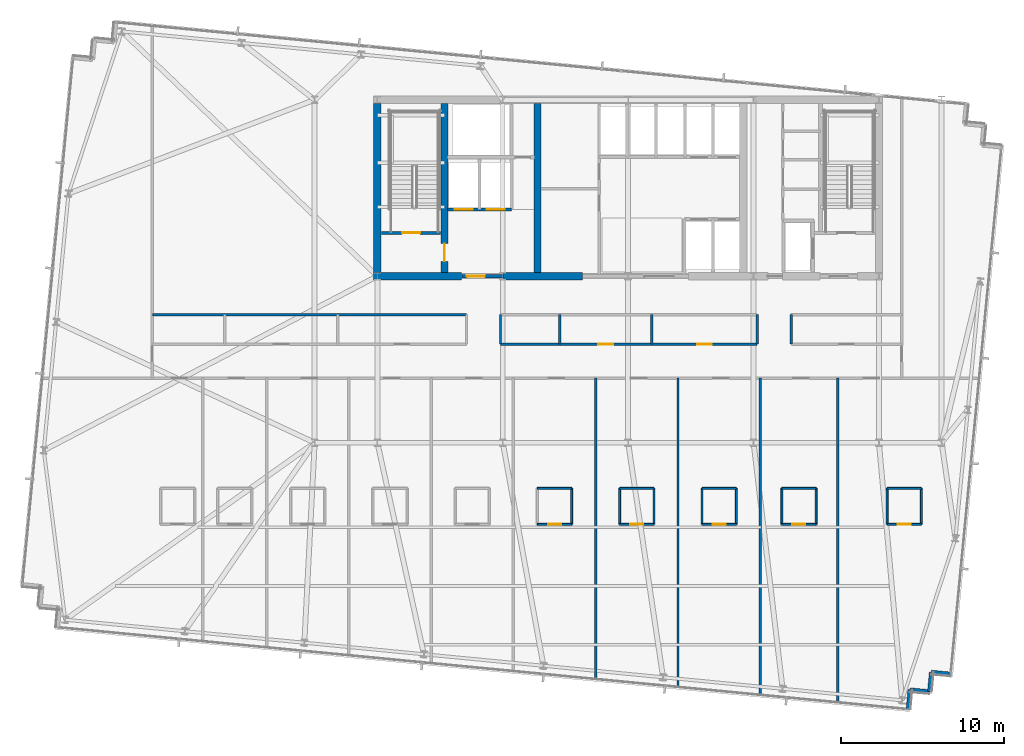
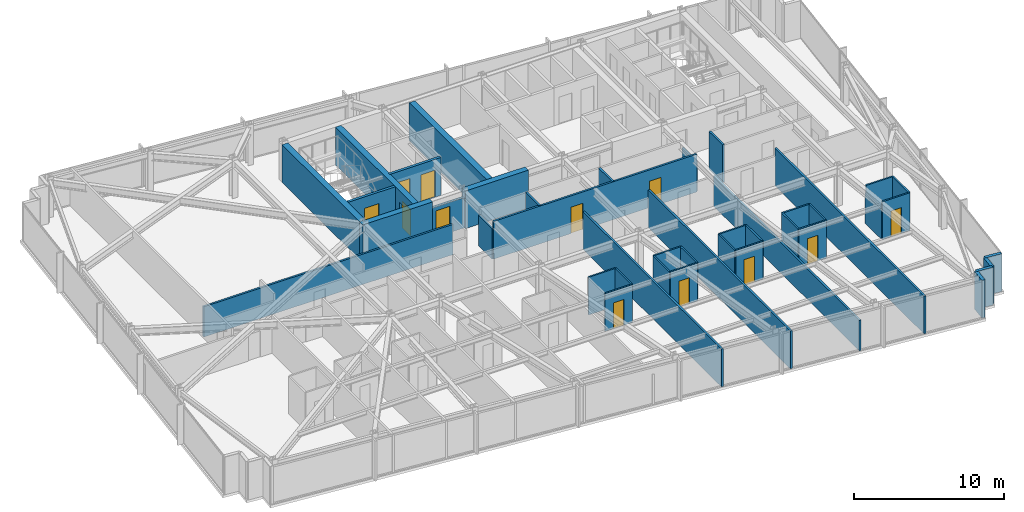
# One storey, part 30 of 38: 42 walls, 12 doors, 12 openings.
"""IFC4 building model written with IfcOpenShell, lengths in metres."""

import ifcopenshell
import ifcopenshell.guid

model = None  # the IFC model being written
_history = None  # IfcOwnerHistory: only IFC2X3 demands one
_inside = {}  # id of a spatial element -> (the spatial element, [elements in it])
_under = {}  # id of a project, library or spatial element -> (it, [spatial elements below it])
_declared = {}  # id of a project -> (the project, [libraries it declares])
_typed = {}  # id of a type object -> (the type object, [elements of that type])
_made_of = {}  # id of a material, layer set ... -> (it, [elements and type objects made of it])


def new_model(schema):
    """Start an empty IFC model of exactly this schema.

    Asked for "IFC4X3", IfcOpenShell would pick the latest addendum, in which some entities
    have other attributes; the version numbers below select the first issue.
    IFC2X3 requires an IfcOwnerHistory on every rooted entity: one is made here for all.
    """
    global model, _history
    if schema == "IFC4X3":
        model = ifcopenshell.file(schema_version=(4, 3, 0, 0))
    else:
        model = ifcopenshell.file(schema=schema)
    _inside.clear()
    _under.clear()
    _declared.clear()
    _typed.clear()
    _made_of.clear()
    _history = None
    if model.schema == "IFC2X3":
        org = make("IfcOrganization", Name="unknown")
        user = make(
            "IfcPersonAndOrganization",
            ThePerson=make("IfcPerson", FamilyName="unknown"),
            TheOrganization=org,
        )
        app = make(
            "IfcApplication",
            ApplicationDeveloper=org,
            Version="unknown",
            ApplicationFullName="unknown",
            ApplicationIdentifier="unknown",
        )
        _history = make(
            "IfcOwnerHistory",
            OwningUser=user,
            OwningApplication=app,
            ChangeAction="ADDED",
            CreationDate=0,
        )
    return model


def make(cls, **values):
    """One entity of the class cls with the attributes given. An attribute that is None is left unset."""
    return model.create_entity(
        cls, **{name: value for name, value in values.items() if value is not None}
    )


def rooted(cls, **values):
    """An entity with a GlobalId (a new one), such as an element, a storey or a relation."""
    return make(cls, GlobalId=ifcopenshell.guid.new(), OwnerHistory=_history, **values)


def si_unit(unit_type, name, prefix=None):
    """IfcSIUnit, for example si_unit("LENGTHUNIT", "METRE", prefix="MILLI")."""
    return make("IfcSIUnit", UnitType=unit_type, Prefix=prefix, Name=name)


def assignment(units):
    """IfcUnitAssignment: the units of a project."""
    return None if units is None else make("IfcUnitAssignment", Units=units)


def point(xyz):
    """IfcCartesianPoint."""
    return None if xyz is None else make("IfcCartesianPoint", Coordinates=xyz)


def direction(xyz):
    """IfcDirection."""
    return None if xyz is None else make("IfcDirection", DirectionRatios=xyz)


def frame(location, z_axis=None, x_axis=None):
    """IfcAxis2Placement3D, a coordinate frame: its origin and axes. An axis left out is left unset."""
    return make(
        "IfcAxis2Placement3D",
        Location=point(location),
        Axis=direction(z_axis),
        RefDirection=direction(x_axis),
    )


def frame_2d(location, x_axis=None):
    """IfcAxis2Placement2D, a coordinate frame in the plane: its origin and x axis."""
    return make(
        "IfcAxis2Placement2D", Location=point(location), RefDirection=direction(x_axis)
    )


def origin():
    """The frame at (0, 0, 0) with its axes left unset."""
    return frame((0.0, 0.0, 0.0))


def place(relative_to, where):
    """IfcLocalPlacement: puts the frame where relative to a parent placement (None: the world)."""
    return make(
        "IfcLocalPlacement", PlacementRelTo=relative_to, RelativePlacement=where
    )


def context(
    kind, dimensions, precision=None, world=None, true_north=None, identifier=None
):
    """IfcGeometricRepresentationContext, for example the 3D "Model" context."""
    return make(
        "IfcGeometricRepresentationContext",
        ContextIdentifier=identifier,
        ContextType=kind,
        CoordinateSpaceDimension=dimensions,
        Precision=precision,
        WorldCoordinateSystem=world,
        TrueNorth=true_north,
    )


def subcontext(parent, identifier, kind, view, scale=None):
    """IfcGeometricRepresentationSubContext, for example "Body" below "Model"."""
    return make(
        "IfcGeometricRepresentationSubContext",
        ContextIdentifier=identifier,
        ContextType=kind,
        ParentContext=parent,
        TargetScale=scale,
        TargetView=view,
    )


def project(units=None, contexts=None):
    """IfcProject with its units and contexts."""
    return rooted(
        "IfcProject",
        Name="project",
        RepresentationContexts=contexts,
        UnitsInContext=assignment(units),
    )


def spatial(cls, under=None, at=None, **own):
    """A site, building, storey or space (cls), placed at a placement, below another one or the project."""
    s = rooted(cls, ObjectPlacement=at, **own)
    if under is not None:
        _under.setdefault(under.id(), (under, []))[1].append(s)
    return s


def profile(cls, at=None, kind="AREA", **sizes):
    """A parametric profile (cls). Its sizes go by their IFC names, for example OverallWidth=200.0."""
    return make(cls, ProfileType=kind, Position=at, **sizes)


def rectangle(**sizes):
    """IfcRectangleProfileDef."""
    return profile("IfcRectangleProfileDef", **sizes)


def extrude(swept, where, along, depth):
    """IfcExtrudedAreaSolid: the profile swept, set in the frame where, extruded along a direction by depth."""
    return make(
        "IfcExtrudedAreaSolid",
        SweptArea=swept,
        Position=where,
        ExtrudedDirection=direction(along),
        Depth=depth,
    )


def shape(context_of_items, identifier, shape_type, items):
    """IfcShapeRepresentation: the items that make up one representation, for example the "Body"."""
    return make(
        "IfcShapeRepresentation",
        ContextOfItems=context_of_items,
        RepresentationIdentifier=identifier,
        RepresentationType=shape_type,
        Items=items,
    )


def material(Name=None, Category=None):
    """IfcMaterial."""
    return make("IfcMaterial", Name=Name, Category=Category)


def layer(
    of_material, thickness, ventilated=None, Name=None, Category=None, Priority=None
):
    """IfcMaterialLayer: one layer of a wall or slab, of a material (None: an air gap)."""
    return make(
        "IfcMaterialLayer",
        Material=of_material,
        LayerThickness=thickness,
        IsVentilated=ventilated,
        Name=Name,
        Category=Category,
        Priority=Priority,
    )


def layer_set(layers, Name=None):
    """IfcMaterialLayerSet."""
    return make("IfcMaterialLayerSet", MaterialLayers=layers, LayerSetName=Name)


def made_of(thing, what):
    """Note that an element or type object is made of a material, layer set ...; save() writes the relation."""
    if what is not None:
        _made_of.setdefault(what.id(), (what, []))[1].append(thing)
    return thing


def type_object(cls, material=None, **own):
    """A type object (cls), such as IfcWallType, which elements share."""
    return made_of(rooted(cls, **own), material)


def element(
    cls,
    number,
    at=None,
    inside=None,
    cuts=None,
    type_object=None,
    material=None,
    context=None,
    identifier="Body",
    shape_type=None,
    held_by="IfcProductDefinitionShape",
    body=None,
    shapes=None,
    **own,
):
    """One element of the class cls, such as IfcWall. Its Tag is "e" and its number.

    at: its placement. inside: the storey or other place that contains it. cuts: it is an
    opening in that element (IfcRelVoidsElement). A single representation is given by context,
    identifier, shape_type and body (its items); several are given by shapes. held_by: the class
    of the entity that holds the representations. save() writes the other relations.
    """
    e = rooted(cls, Tag="e%d" % number, ObjectPlacement=at, **own)
    if body is not None:
        shapes = [shape(context, identifier, shape_type, body)]
    if shapes is not None:
        e.Representation = make(held_by, Representations=shapes)
    if inside is not None:
        _inside.setdefault(inside.id(), (inside, []))[1].append(e)
    if cuts is not None:
        rooted(
            "IfcRelVoidsElement", RelatingBuildingElement=cuts, RelatedOpeningElement=e
        )
    if type_object is not None:
        _typed.setdefault(type_object.id(), (type_object, []))[1].append(e)
    return made_of(e, material)


def fill(opening, filler):
    """IfcRelFillsElement: the door or window that sits in an opening."""
    return rooted(
        "IfcRelFillsElement",
        RelatingOpeningElement=opening,
        RelatedBuildingElement=filler,
    )


def aggregate(whole, parts):
    """IfcRelAggregates: a whole, such as a stair, and the parts it consists of."""
    return rooted("IfcRelAggregates", RelatingObject=whole, RelatedObjects=parts)


def save(model, path):
    """Write the relations noted so far, then the file.

    IfcRelAggregates (storeys below a building ...), IfcRelContainedInSpatialStructure (elements
    in a storey), IfcRelDefinesByType, IfcRelAssociatesMaterial and IfcRelDeclares: one each for
    every whole, place, type object, material and project.
    """
    for whole, parts in _under.values():
        aggregate(whole, parts)
    for where, things in _inside.values():
        rooted(
            "IfcRelContainedInSpatialStructure",
            RelatedElements=things,
            RelatingStructure=where,
        )
    for kind, things in _typed.values():
        rooted("IfcRelDefinesByType", RelatedObjects=things, RelatingType=kind)
    for what, things in _made_of.values():
        rooted("IfcRelAssociatesMaterial", RelatedObjects=things, RelatingMaterial=what)
    for by, libraries in _declared.values():
        rooted("IfcRelDeclares", RelatingContext=by, RelatedDefinitions=libraries)
    model.write(path)


model = new_model("IFC4")

# Units and contexts
model_context = context("Model", 3, precision=1e-05, world=origin(), true_north=direction((0.0, 1.0)))
body_context = subcontext(model_context, "Body", "Model", "MODEL_VIEW")
ifc_project = project(units=[si_unit("LENGTHUNIT", "METRE"), si_unit("AREAUNIT", "SQUARE_METRE"), si_unit("VOLUMEUNIT", "CUBIC_METRE"), si_unit("PLANEANGLEUNIT", "RADIAN"), si_unit("MASSUNIT", "GRAM", prefix="KILO")], contexts=[model_context])

# Site, building, storey
site_placement = place(None, origin())
site = spatial("IfcSite", under=ifc_project, at=site_placement, CompositionType="ELEMENT")
building_placement = place(site_placement, origin())
building = spatial("IfcBuilding", under=site, at=building_placement, Name="Yelkora Congress Tower", CompositionType="ELEMENT")
storey_placement = place(building_placement, frame((0.0, 0.0, 178.699951171875)))
storey = spatial("IfcBuildingStorey", under=building, at=storey_placement, Name="L49", CompositionType="ELEMENT", Elevation=178.699951171875)

# Walls
ifc_material_1 = material(Name="Concrete C60/75", Category="concrete")
ifc_layer_1 = layer(ifc_material_1, 0.449951171875)
ifc_layer_set_1 = layer_set([ifc_layer_1], Name="Concrete C60/75")
wall_type_1 = type_object("IfcWallType", Name="WALL-CORE-INT-450", PredefinedType="SHEAR", material=ifc_layer_set_1)
wall_1_placement = place(storey_placement, frame((22.81494140625, 35.39990234375, 0.0), z_axis=(0.0, 0.0, 1.0), x_axis=(1.0, 0.0, 0.0)))
element("IfcWall", 1, at=wall_1_placement, inside=storey, type_object=wall_type_1, Name="L49 Rear Core South-West Shear Wall", PredefinedType="SHEAR", context=body_context, shape_type="SweptSolid", body=[
    extrude(rectangle(XDim=5.385009765625, YDim=0.449951171875, at=frame_2d((2.6923828125, 0.0))), origin(), (0.0, 0.0, 1.0), 3.080078125),
])
wall_2_placement = place(storey_placement, frame((30.719970703125, 35.39990234375, 0.0), z_axis=(0.0, 0.0, 1.0), x_axis=(1.0, 0.0, 0.0)))
element("IfcWall", 2, at=wall_2_placement, inside=storey, type_object=wall_type_1, Name="L49 Rear Core South-Center Shear Pier", PredefinedType="SHEAR", context=body_context, shape_type="SweptSolid", body=[
    extrude(rectangle(XDim=4.880126953125, YDim=0.449951171875, at=frame_2d((2.43994140625, 0.0))), origin(), (0.0, 0.0, 1.0), 3.080078125),
])
wall_3_placement = place(storey_placement, frame((23.0400390625, 35.625, 0.0), z_axis=(0.0, 0.0, 1.0), x_axis=(0.0, 1.0, 0.0)))
element("IfcWall", 3, at=wall_3_placement, inside=storey, type_object=wall_type_1, Name="L49 Rear Core Cross Shear Wall W", PredefinedType="SHEAR", context=body_context, shape_type="SweptSolid", body=[
    extrude(rectangle(XDim=10.35009765625, YDim=0.449951171875, at=frame_2d((5.175048828125, 0.0))), origin(), (0.0, 0.0, 1.0), 3.080078125),
])

# Wall, opening, door
wall_4_placement = place(storey_placement, frame((27.14990234375, 35.625, 0.0), z_axis=(0.0, 0.0, 1.0), x_axis=(0.0, 1.0, 0.0)))
wall_4 = element("IfcWall", 4, at=wall_4_placement, inside=storey, type_object=wall_type_1, Name="L49 Rear Core Cross Shear Wall C1", PredefinedType="SHEAR", context=body_context, shape_type="SweptSolid", body=[
    extrude(rectangle(XDim=10.35009765625, YDim=0.449951171875, at=frame_2d((5.175048828125, 0.0))), origin(), (0.0, 0.0, 1.0), 3.080078125),
])
opening_1_placement = place(wall_4_placement, frame((0.675048828125, 0.0, 0.0)))
opening_1 = element("IfcOpeningElement", 5, at=opening_1_placement, cuts=wall_4, Name="Opening DR-110F9", PredefinedType="OPENING", context=body_context, shape_type="SweptSolid", body=[
    extrude(rectangle(XDim=1.10009765625, YDim=2.14990234375, at=frame_2d((0.550048828125, 1.074951171875))), frame((0.0, 0.23486328125, 0.0), z_axis=(0.0, -1.0, 0.0), x_axis=(1.0, 0.0, 0.0)), (0.0, 0.0, 1.0), 0.469970703125),
])
ifc_material_2 = material(Name="Galvanised steel fire door leaf", Category="steel")
door_type_1 = type_object("IfcDoorType", Name="DOOR-FD90-1100", OperationType="NOTDEFINED", PredefinedType="DOOR", material=ifc_material_2)
door_1_placement = place(opening_1_placement, origin())
door_1 = element("IfcDoor", 6, at=door_1_placement, inside=storey, type_object=door_type_1, Name="L49 Firefighting Stair Transfer Door", OperationType="SINGLE_SWING_LEFT", OverallHeight=2.14990234375, OverallWidth=1.10009765625, PredefinedType="DOOR", context=body_context, shape_type="SweptSolid", body=[
    extrude(rectangle(XDim=1.10009765625, YDim=2.14990234375, at=frame_2d((0.550048828125, 1.074951171875))), frame((0.0, 0.02490234375, 0.0), z_axis=(0.0, -1.0, 0.0), x_axis=(1.0, 0.0, 0.0)), (0.0, 0.0, 1.0), 0.050048828125),
])
fill(opening_1, door_1)

# Walls
wall_5_placement = place(storey_placement, frame((32.85009765625, 35.625, 0.0), z_axis=(0.0, 0.0, 1.0), x_axis=(0.0, 1.0, 0.0)))
element("IfcWall", 7, at=wall_5_placement, inside=storey, type_object=wall_type_1, Name="L49 Rear Core Cross Shear Wall C2", PredefinedType="SHEAR", context=body_context, shape_type="SweptSolid", body=[
    extrude(rectangle(XDim=10.35009765625, YDim=0.449951171875, at=frame_2d((5.175048828125, 0.0))), origin(), (0.0, 0.0, 1.0), 3.080078125),
])
ifc_material_3 = material(Name="Concrete C40/50", Category="concrete")
ifc_layer_2 = layer(ifc_material_3, 0.239990234375)
ifc_layer_set_2 = layer_set([ifc_layer_2], Name="Concrete C40/50")
wall_type_2 = type_object("IfcWallType", Name="WALL-EXT-LIMESTONE-240", PredefinedType="SOLIDWALL", material=ifc_layer_set_2)
wall_6_placement = place(storey_placement, frame((58.160400390625, 11.033203125, 0.0), z_axis=(0.0, 0.0, 1.0), x_axis=(-0.995398960025, 0.095817067274, 0.0)))
element("IfcWall", 8, at=wall_6_placement, inside=storey, type_object=wall_type_2, Name="L49 Serrated Corner Limestone Pier 16", PredefinedType="SOLIDWALL", context=body_context, shape_type="SweptSolid", body=[
    extrude(rectangle(XDim=1.2001953125, YDim=0.239990234375, at=frame_2d((0.60009765625, 0.0))), origin(), (0.0, 0.0, 1.0), 3.080078125),
])
for number, where, z_axis, x_axis, name in (
    (9, (56.9658203125, 11.148193359375, 0.0), (0.0, 0.0, 1.0), (-0.095836473879, -0.995397091755, 0.0), "L49 Serrated Corner Limestone Pier 17"),
    (10, (56.850830078125, 9.953857421875, 0.0), (0.0, 0.0, 1.0), (-0.995397091755, 0.095836473879, 0.0), "L49 Serrated Corner Limestone Pier 18"),
):
    element("IfcWall", number, at=place(storey_placement, frame(where, z_axis=z_axis, x_axis=x_axis)), inside=storey, type_object=wall_type_2, Name=name, PredefinedType="SOLIDWALL", context=body_context, shape_type="SweptSolid", body=[
        extrude(rectangle(XDim=1.199951171875, YDim=0.239990234375, at=frame_2d((0.60009765625, 0.0))), origin(), (0.0, 0.0, 1.0), 3.080078125),
    ])
wall_7_placement = place(storey_placement, frame((55.656494140625, 10.06884765625, 0.0), z_axis=(0.0, 0.0, 1.0), x_axis=(-0.095817067274, -0.995398960025, 0.0)))
element("IfcWall", 11, at=wall_7_placement, inside=storey, type_object=wall_type_2, Name="L49 Serrated Corner Limestone Pier 19", PredefinedType="SOLIDWALL", context=body_context, shape_type="SweptSolid", body=[
    extrude(rectangle(XDim=1.2001953125, YDim=0.239990234375, at=frame_2d((0.60009765625, 0.0))), origin(), (0.0, 0.0, 1.0), 3.080078125),
])
ifc_material_4 = material(Name="Moisture-resistant gypsum partition", Category="gypsum")
ifc_layer_3 = layer(ifc_material_4, 0.1201171875)
ifc_layer_set_3 = layer_set([ifc_layer_3], Name="Moisture-resistant gypsum partition")
wall_type_3 = type_object("IfcWallType", Name="WALL-INT-120-NR", PredefinedType="PARTITIONING", material=ifc_layer_set_3)
wall_8_placement = place(storey_placement, frame((32.842041015625, 22.39990234375, 0.0), z_axis=(0.0, 0.0, 1.0), x_axis=(1.0, 0.0, 0.0)))
element("IfcWall", 12, at=wall_8_placement, inside=storey, type_object=wall_type_3, Name="L49 Partition Wall 52", PredefinedType="PARTITIONING", context=body_context, shape_type="SweptSolid", body=[
    extrude(rectangle(XDim=2.099853515625, YDim=0.1201171875, at=frame_2d((1.0498046875, 0.0))), origin(), (0.0, 0.0, 1.0), 3.080078125),
])
wall_9_placement = place(storey_placement, frame((34.94189453125, 20.199951171875, 0.0), z_axis=(0.0, 0.0, 1.0), x_axis=(0.0, 1.0, 0.0)))
element("IfcWall", 13, at=wall_9_placement, inside=storey, type_object=wall_type_3, Name="L49 Partition Wall 54", PredefinedType="PARTITIONING", context=body_context, shape_type="SweptSolid", body=[
    extrude(rectangle(XDim=2.199951171875, YDim=0.1201171875, at=frame_2d((1.10009765625, 0.0))), origin(), (0.0, 0.0, 1.0), 3.080078125),
])

# Wall, opening, door
wall_10_placement = place(storey_placement, frame((32.842041015625, 20.199951171875, 0.0), z_axis=(0.0, 0.0, 1.0), x_axis=(1.0, 0.0, 0.0)))
wall_10 = element("IfcWall", 14, at=wall_10_placement, inside=storey, type_object=wall_type_3, Name="L49 Partition Wall 55", PredefinedType="PARTITIONING", context=body_context, shape_type="SweptSolid", body=[
    extrude(rectangle(XDim=2.099853515625, YDim=0.1201171875, at=frame_2d((1.0498046875, 0.0))), origin(), (0.0, 0.0, 1.0), 3.080078125),
])
opening_2_placement = place(wall_10_placement, frame((0.64990234375, 0.0, 0.0)))
opening_2 = element("IfcOpeningElement", 15, at=opening_2_placement, cuts=wall_10, Name="Opening DR-080B", PredefinedType="OPENING", context=body_context, shape_type="SweptSolid", body=[
    extrude(rectangle(XDim=0.800048828125, YDim=2.10009765625, at=frame_2d((0.39990234375, 1.050048828125))), frame((0.0, 0.070068359375, 0.0), z_axis=(0.0, -1.0, 0.0), x_axis=(1.0, 0.0, 0.0)), (0.0, 0.0, 1.0), 0.14013671875),
])
ifc_material_5 = material(Name="Moisture-sealed en-suite timber door", Category="wood")
door_type_2 = type_object("IfcDoorType", Name="DOOR-BATH-800", OperationType="NOTDEFINED", PredefinedType="DOOR", material=ifc_material_5)
door_2_placement = place(opening_2_placement, origin())
door_2 = element("IfcDoor", 16, at=door_2_placement, inside=storey, type_object=door_type_2, Name="L49 En-suite Door 6", OperationType="SINGLE_SWING_LEFT", OverallHeight=2.10009765625, OverallWidth=0.800048828125, PredefinedType="DOOR", context=body_context, shape_type="SweptSolid", body=[
    extrude(rectangle(XDim=0.800048828125, YDim=2.10009765625, at=frame_2d((0.39990234375, 1.050048828125))), frame((0.0, 0.02490234375, 0.0), z_axis=(0.0, -1.0, 0.0), x_axis=(1.0, 0.0, 0.0)), (0.0, 0.0, 1.0), 0.050048828125),
])
fill(opening_2, door_2)

# Walls
wall_11_placement = place(storey_placement, frame((37.883056640625, 22.39990234375, 0.0), z_axis=(0.0, 0.0, 1.0), x_axis=(1.0, 0.0, 0.0)))
element("IfcWall", 17, at=wall_11_placement, inside=storey, type_object=wall_type_3, Name="L49 Partition Wall 57", PredefinedType="PARTITIONING", context=body_context, shape_type="SweptSolid", body=[
    extrude(rectangle(XDim=2.099853515625, YDim=0.1201171875, at=frame_2d((1.0498046875, 0.0))), origin(), (0.0, 0.0, 1.0), 3.080078125),
])
for number, where, z_axis, x_axis, name in (
    (18, (37.883056640625, 20.199951171875, 0.0), (0.0, 0.0, 1.0), (0.0, 1.0, 0.0), "L49 Partition Wall 58"),
    (19, (39.98291015625, 20.199951171875, 0.0), (0.0, 0.0, 1.0), (0.0, 1.0, 0.0), "L49 Partition Wall 59"),
):
    element("IfcWall", number, at=place(storey_placement, frame(where, z_axis=z_axis, x_axis=x_axis)), inside=storey, type_object=wall_type_3, Name=name, PredefinedType="PARTITIONING", context=body_context, shape_type="SweptSolid", body=[
        extrude(rectangle(XDim=2.199951171875, YDim=0.1201171875, at=frame_2d((1.10009765625, 0.0))), origin(), (0.0, 0.0, 1.0), 3.080078125),
    ])

# Wall, opening, door
wall_12_placement = place(storey_placement, frame((37.883056640625, 20.199951171875, 0.0), z_axis=(0.0, 0.0, 1.0), x_axis=(1.0, 0.0, 0.0)))
wall_12 = element("IfcWall", 20, at=wall_12_placement, inside=storey, type_object=wall_type_3, Name="L49 Partition Wall 60", PredefinedType="PARTITIONING", context=body_context, shape_type="SweptSolid", body=[
    extrude(rectangle(XDim=2.099853515625, YDim=0.1201171875, at=frame_2d((1.0498046875, 0.0))), origin(), (0.0, 0.0, 1.0), 3.080078125),
])
opening_3_placement = place(wall_12_placement, frame((0.64990234375, 0.0, 0.0)))
opening_3 = element("IfcOpeningElement", 21, at=opening_3_placement, cuts=wall_12, Name="Opening DR-080B", PredefinedType="OPENING", context=body_context, shape_type="SweptSolid", body=[
    extrude(rectangle(XDim=0.800048828125, YDim=2.10009765625, at=frame_2d((0.39990234375, 1.050048828125))), frame((0.0, 0.070068359375, 0.0), z_axis=(0.0, -1.0, 0.0), x_axis=(1.0, 0.0, 0.0)), (0.0, 0.0, 1.0), 0.14013671875),
])
door_3_placement = place(opening_3_placement, origin())
door_3 = element("IfcDoor", 22, at=door_3_placement, inside=storey, type_object=door_type_2, Name="L49 En-suite Door 7", OperationType="SINGLE_SWING_RIGHT", OverallHeight=2.10009765625, OverallWidth=0.800048828125, PredefinedType="DOOR", context=body_context, shape_type="SweptSolid", body=[
    extrude(rectangle(XDim=0.800048828125, YDim=2.10009765625, at=frame_2d((0.39990234375, 1.050048828125))), frame((0.0, 0.02490234375, 0.0), z_axis=(0.0, -1.0, 0.0), x_axis=(1.0, 0.0, 0.0)), (0.0, 0.0, 1.0), 0.050048828125),
])
fill(opening_3, door_3)

# Walls
wall_13_placement = place(storey_placement, frame((42.924072265625, 22.39990234375, 0.0), z_axis=(0.0, 0.0, 1.0), x_axis=(1.0, 0.0, 0.0)))
element("IfcWall", 23, at=wall_13_placement, inside=storey, type_object=wall_type_3, Name="L49 Partition Wall 62", PredefinedType="PARTITIONING", context=body_context, shape_type="SweptSolid", body=[
    extrude(rectangle(XDim=2.099853515625, YDim=0.1201171875, at=frame_2d((1.0498046875, 0.0))), origin(), (0.0, 0.0, 1.0), 3.080078125),
])
for number, where, z_axis, x_axis, name in (
    (24, (42.924072265625, 20.199951171875, 0.0), (0.0, 0.0, 1.0), (0.0, 1.0, 0.0), "L49 Partition Wall 63"),
    (25, (45.02392578125, 20.199951171875, 0.0), (0.0, 0.0, 1.0), (0.0, 1.0, 0.0), "L49 Partition Wall 64"),
):
    element("IfcWall", number, at=place(storey_placement, frame(where, z_axis=z_axis, x_axis=x_axis)), inside=storey, type_object=wall_type_3, Name=name, PredefinedType="PARTITIONING", context=body_context, shape_type="SweptSolid", body=[
        extrude(rectangle(XDim=2.199951171875, YDim=0.1201171875, at=frame_2d((1.10009765625, 0.0))), origin(), (0.0, 0.0, 1.0), 3.080078125),
    ])

# Wall, opening, door
wall_14_placement = place(storey_placement, frame((42.924072265625, 20.199951171875, 0.0), z_axis=(0.0, 0.0, 1.0), x_axis=(1.0, 0.0, 0.0)))
wall_14 = element("IfcWall", 26, at=wall_14_placement, inside=storey, type_object=wall_type_3, Name="L49 Partition Wall 65", PredefinedType="PARTITIONING", context=body_context, shape_type="SweptSolid", body=[
    extrude(rectangle(XDim=2.099853515625, YDim=0.1201171875, at=frame_2d((1.0498046875, 0.0))), origin(), (0.0, 0.0, 1.0), 3.080078125),
])
opening_4_placement = place(wall_14_placement, frame((0.64990234375, 0.0, 0.0)))
opening_4 = element("IfcOpeningElement", 27, at=opening_4_placement, cuts=wall_14, Name="Opening DR-080B", PredefinedType="OPENING", context=body_context, shape_type="SweptSolid", body=[
    extrude(rectangle(XDim=0.800048828125, YDim=2.10009765625, at=frame_2d((0.39990234375, 1.050048828125))), frame((0.0, 0.070068359375, 0.0), z_axis=(0.0, -1.0, 0.0), x_axis=(1.0, 0.0, 0.0)), (0.0, 0.0, 1.0), 0.14013671875),
])
door_4_placement = place(opening_4_placement, origin())
door_4 = element("IfcDoor", 28, at=door_4_placement, inside=storey, type_object=door_type_2, Name="L49 En-suite Door 8", OperationType="SINGLE_SWING_LEFT", OverallHeight=2.10009765625, OverallWidth=0.800048828125, PredefinedType="DOOR", context=body_context, shape_type="SweptSolid", body=[
    extrude(rectangle(XDim=0.800048828125, YDim=2.10009765625, at=frame_2d((0.39990234375, 1.050048828125))), frame((0.0, 0.02490234375, 0.0), z_axis=(0.0, -1.0, 0.0), x_axis=(1.0, 0.0, 0.0)), (0.0, 0.0, 1.0), 0.050048828125),
])
fill(opening_4, door_4)

# Walls
wall_15_placement = place(storey_placement, frame((47.81201171875, 22.39990234375, 0.0), z_axis=(0.0, 0.0, 1.0), x_axis=(1.0, 0.0, 0.0)))
element("IfcWall", 29, at=wall_15_placement, inside=storey, type_object=wall_type_3, Name="L49 Partition Wall 67", PredefinedType="PARTITIONING", context=body_context, shape_type="SweptSolid", body=[
    extrude(rectangle(XDim=2.10009765625, YDim=0.1201171875, at=frame_2d((1.050048828125, 0.0))), origin(), (0.0, 0.0, 1.0), 3.080078125),
])
for number, where, z_axis, x_axis, name in (
    (30, (47.81201171875, 20.199951171875, 0.0), (0.0, 0.0, 1.0), (0.0, 1.0, 0.0), "L49 Partition Wall 68"),
    (31, (49.912109375, 20.199951171875, 0.0), (0.0, 0.0, 1.0), (0.0, 1.0, 0.0), "L49 Partition Wall 69"),
):
    element("IfcWall", number, at=place(storey_placement, frame(where, z_axis=z_axis, x_axis=x_axis)), inside=storey, type_object=wall_type_3, Name=name, PredefinedType="PARTITIONING", context=body_context, shape_type="SweptSolid", body=[
        extrude(rectangle(XDim=2.199951171875, YDim=0.1201171875, at=frame_2d((1.10009765625, 0.0))), origin(), (0.0, 0.0, 1.0), 3.080078125),
    ])

# Wall, opening, door
wall_16_placement = place(storey_placement, frame((47.81201171875, 20.199951171875, 0.0), z_axis=(0.0, 0.0, 1.0), x_axis=(1.0, 0.0, 0.0)))
wall_16 = element("IfcWall", 32, at=wall_16_placement, inside=storey, type_object=wall_type_3, Name="L49 Partition Wall 70", PredefinedType="PARTITIONING", context=body_context, shape_type="SweptSolid", body=[
    extrude(rectangle(XDim=2.10009765625, YDim=0.1201171875, at=frame_2d((1.050048828125, 0.0))), origin(), (0.0, 0.0, 1.0), 3.080078125),
])
opening_5_placement = place(wall_16_placement, frame((0.64990234375, 0.0, 0.0)))
opening_5 = element("IfcOpeningElement", 33, at=opening_5_placement, cuts=wall_16, Name="Opening DR-080B", PredefinedType="OPENING", context=body_context, shape_type="SweptSolid", body=[
    extrude(rectangle(XDim=0.800048828125, YDim=2.10009765625, at=frame_2d((0.39990234375, 1.050048828125))), frame((0.0, 0.070068359375, 0.0), z_axis=(0.0, -1.0, 0.0), x_axis=(1.0, 0.0, 0.0)), (0.0, 0.0, 1.0), 0.14013671875),
])
door_5_placement = place(opening_5_placement, origin())
door_5 = element("IfcDoor", 34, at=door_5_placement, inside=storey, type_object=door_type_2, Name="L49 En-suite Door 9", OperationType="SINGLE_SWING_RIGHT", OverallHeight=2.10009765625, OverallWidth=0.800048828125, PredefinedType="DOOR", context=body_context, shape_type="SweptSolid", body=[
    extrude(rectangle(XDim=0.800048828125, YDim=2.10009765625, at=frame_2d((0.39990234375, 1.050048828125))), frame((0.0, 0.02490234375, 0.0), z_axis=(0.0, -1.0, 0.0), x_axis=(1.0, 0.0, 0.0)), (0.0, 0.0, 1.0), 0.050048828125),
])
fill(opening_5, door_5)

# Walls
wall_17_placement = place(storey_placement, frame((54.260009765625, 22.39990234375, 0.0), z_axis=(0.0, 0.0, 1.0), x_axis=(1.0, 0.0, 0.0)))
element("IfcWall", 35, at=wall_17_placement, inside=storey, type_object=wall_type_3, Name="L49 Partition Wall 72", PredefinedType="PARTITIONING", context=body_context, shape_type="SweptSolid", body=[
    extrude(rectangle(XDim=2.10009765625, YDim=0.1201171875, at=frame_2d((1.050048828125, 0.0))), origin(), (0.0, 0.0, 1.0), 3.080078125),
])
wall_18_placement = place(storey_placement, frame((54.260009765625, 20.199951171875, 0.0), z_axis=(0.0, 0.0, 1.0), x_axis=(0.0, 1.0, 0.0)))
element("IfcWall", 36, at=wall_18_placement, inside=storey, type_object=wall_type_3, Name="L49 Partition Wall 73", PredefinedType="PARTITIONING", context=body_context, shape_type="SweptSolid", body=[
    extrude(rectangle(XDim=2.199951171875, YDim=0.1201171875, at=frame_2d((1.10009765625, 0.0))), origin(), (0.0, 0.0, 1.0), 2.47509765625),
])
wall_19_placement = place(storey_placement, frame((56.360107421875, 20.199951171875, 0.0), z_axis=(0.0, 0.0, 1.0), x_axis=(0.0, 1.0, 0.0)))
element("IfcWall", 37, at=wall_19_placement, inside=storey, type_object=wall_type_3, Name="L49 Partition Wall 74", PredefinedType="PARTITIONING", context=body_context, shape_type="SweptSolid", body=[
    extrude(rectangle(XDim=2.199951171875, YDim=0.1201171875, at=frame_2d((1.10009765625, 0.0))), origin(), (0.0, 0.0, 1.0), 3.080078125),
])

# Wall, opening, door
wall_20_placement = place(storey_placement, frame((54.260009765625, 20.199951171875, 0.0), z_axis=(0.0, 0.0, 1.0), x_axis=(1.0, 0.0, 0.0)))
wall_20 = element("IfcWall", 38, at=wall_20_placement, inside=storey, type_object=wall_type_3, Name="L49 Partition Wall 75", PredefinedType="PARTITIONING", context=body_context, shape_type="SweptSolid", body=[
    extrude(rectangle(XDim=2.10009765625, YDim=0.1201171875, at=frame_2d((1.050048828125, 0.0))), origin(), (0.0, 0.0, 1.0), 3.080078125),
])
opening_6_placement = place(wall_20_placement, frame((0.64990234375, 0.0, 0.0)))
opening_6 = element("IfcOpeningElement", 39, at=opening_6_placement, cuts=wall_20, Name="Opening DR-080B", PredefinedType="OPENING", context=body_context, shape_type="SweptSolid", body=[
    extrude(rectangle(XDim=0.800048828125, YDim=2.10009765625, at=frame_2d((0.39990234375, 1.050048828125))), frame((0.0, 0.070068359375, 0.0), z_axis=(0.0, -1.0, 0.0), x_axis=(1.0, 0.0, 0.0)), (0.0, 0.0, 1.0), 0.14013671875),
])
door_6_placement = place(opening_6_placement, origin())
door_6 = element("IfcDoor", 40, at=door_6_placement, inside=storey, type_object=door_type_2, Name="L49 En-suite Door 10", OperationType="SINGLE_SWING_LEFT", OverallHeight=2.10009765625, OverallWidth=0.800048828125, PredefinedType="DOOR", context=body_context, shape_type="SweptSolid", body=[
    extrude(rectangle(XDim=0.800048828125, YDim=2.10009765625, at=frame_2d((0.39990234375, 1.050048828125))), frame((0.0, 0.02490234375, 0.0), z_axis=(0.0, -1.0, 0.0), x_axis=(1.0, 0.0, 0.0)), (0.0, 0.0, 1.0), 0.050048828125),
])
fill(opening_6, door_6)

# Walls
ifc_material_6 = material(Name="Acoustic metal-stud gypsum partition", Category="gypsum")
ifc_layer_4 = layer(ifc_material_6, 0.14990234375)
ifc_layer_set_4 = layer_set([ifc_layer_4], Name="Acoustic metal-stud gypsum partition")
wall_type_4 = type_object("IfcWallType", Name="WALL-INT-150-NR", PredefinedType="PARTITIONING", material=ifc_layer_set_4)
for number, where, z_axis, x_axis, name in (
    (41, (30.580078125, 31.22998046875, 0.0), (0.0, 0.0, 1.0), (0.0, 1.0, 0.0), "L49 Partition Wall 81"),
    (42, (46.300048828125, 31.22998046875, 0.0), (0.0, 0.0, 1.0), (0.0, 1.0, 0.0), "L49 Partition Wall 82"),
):
    element("IfcWall", number, at=place(storey_placement, frame(where, z_axis=z_axis, x_axis=x_axis)), inside=storey, type_object=wall_type_4, Name=name, PredefinedType="PARTITIONING", context=body_context, shape_type="SweptSolid", body=[
        extrude(rectangle(XDim=1.820068359375, YDim=0.14990234375, at=frame_2d((0.91015625, 0.0))), origin(), (0.0, 0.0, 1.0), 2.47509765625),
    ])
wall_21_placement = place(storey_placement, frame((48.3798828125, 31.22998046875, 0.0), z_axis=(0.0, 0.0, 1.0), x_axis=(0.0, 1.0, 0.0)))
element("IfcWall", 43, at=wall_21_placement, inside=storey, type_object=wall_type_4, Name="L49 Partition Wall 83", PredefinedType="PARTITIONING", context=body_context, shape_type="SweptSolid", body=[
    extrude(rectangle(XDim=1.820068359375, YDim=0.14990234375, at=frame_2d((0.91015625, 0.0))), origin(), (0.0, 0.0, 1.0), 3.080078125),
])
wall_22_placement = place(storey_placement, frame((9.260009765625, 33.050048828125, 0.0), z_axis=(0.0, 0.0, 1.0), x_axis=(1.0, 0.0, 0.0)))
element("IfcWall", 44, at=wall_22_placement, inside=storey, type_object=wall_type_4, Name="L49 Partition Wall 84", PredefinedType="PARTITIONING", context=body_context, shape_type="SweptSolid", body=[
    extrude(rectangle(XDim=19.239990234375, YDim=0.14990234375, at=frame_2d((9.6201171875, 0.0))), origin(), (0.0, 0.0, 1.0), 2.47509765625),
])
for number, where, z_axis, x_axis, name in (
    (45, (34.200927734375, 31.22998046875, 0.0), (0.0, 0.0, 1.0), (0.0, 1.0, 0.0), "L49 Partition Wall 90"),
    (46, (39.85302734375, 31.22998046875, 0.0), (0.0, 0.0, 1.0), (0.0, 1.0, 0.0), "L49 Partition Wall 91"),
):
    element("IfcWall", number, at=place(storey_placement, frame(where, z_axis=z_axis, x_axis=x_axis)), inside=storey, type_object=wall_type_4, Name=name, PredefinedType="PARTITIONING", context=body_context, shape_type="SweptSolid", body=[
        extrude(rectangle(XDim=1.820068359375, YDim=0.14990234375, at=frame_2d((0.91015625, 0.0))), origin(), (0.0, 0.0, 1.0), 3.080078125),
    ])

# Wall, openings, doors
wall_23_placement = place(storey_placement, frame((30.590087890625, 31.22998046875, 0.0), z_axis=(0.0, 0.0, 1.0), x_axis=(1.0, 0.0, 0.0)))
wall_23 = element("IfcWall", 47, at=wall_23_placement, inside=storey, type_object=wall_type_4, Name="L49 Partition Wall 92", PredefinedType="PARTITIONING", context=body_context, shape_type="SweptSolid", body=[
    extrude(rectangle(XDim=15.699951171875, YDim=0.14990234375, at=frame_2d((7.85009765625, 0.0))), origin(), (0.0, 0.0, 1.0), 3.080078125),
])
opening_7_placement = place(wall_23_placement, frame((5.987060546875, 0.0, 0.0)))
opening_7 = element("IfcOpeningElement", 48, at=opening_7_placement, cuts=wall_23, Name="Opening DR-090N", PredefinedType="OPENING", context=body_context, shape_type="SweptSolid", body=[
    extrude(rectangle(XDim=0.89990234375, YDim=2.14990234375, at=frame_2d((0.449951171875, 1.074951171875))), frame((0.0, 0.0849609375, 0.0), z_axis=(0.0, -1.0, 0.0), x_axis=(1.0, 0.0, 0.0)), (0.0, 0.0, 1.0), 0.169921875),
])
opening_8_placement = place(wall_23_placement, frame((12.031494140625, 0.0, 0.0)))
opening_8 = element("IfcOpeningElement", 49, at=opening_8_placement, cuts=wall_23, Name="Opening DR-090N", PredefinedType="OPENING", context=body_context, shape_type="SweptSolid", body=[
    extrude(rectangle(XDim=0.89990234375, YDim=2.14990234375, at=frame_2d((0.449951171875, 1.074951171875))), frame((0.0, 0.0849609375, 0.0), z_axis=(0.0, -1.0, 0.0), x_axis=(1.0, 0.0, 0.0)), (0.0, 0.0, 1.0), 0.169921875),
])
ifc_material_7 = material(Name="Moisture-resistant laminate door leaf", Category="wood")
door_type_3 = type_object("IfcDoorType", Name="DOOR-INT-900", OperationType="NOTDEFINED", PredefinedType="DOOR", material=ifc_material_7)
door_7_placement = place(opening_7_placement, origin())
door_7 = element("IfcDoor", 50, at=door_7_placement, inside=storey, type_object=door_type_3, Name="L49 Staff Operations Room Door", OperationType="SINGLE_SWING_RIGHT", OverallHeight=2.14990234375, OverallWidth=0.89990234375, PredefinedType="DOOR", context=body_context, shape_type="SweptSolid", body=[
    extrude(rectangle(XDim=0.89990234375, YDim=2.14990234375, at=frame_2d((0.449951171875, 1.074951171875))), frame((0.0, 0.02490234375, 0.0), z_axis=(0.0, -1.0, 0.0), x_axis=(1.0, 0.0, 0.0)), (0.0, 0.0, 1.0), 0.050048828125),
])
fill(opening_7, door_7)
door_8_placement = place(opening_8_placement, origin())
door_8 = element("IfcDoor", 51, at=door_8_placement, inside=storey, type_object=door_type_3, Name="L49 Security Control Room Door", OperationType="SINGLE_SWING_LEFT", OverallHeight=2.14990234375, OverallWidth=0.89990234375, PredefinedType="DOOR", context=body_context, shape_type="SweptSolid", body=[
    extrude(rectangle(XDim=0.89990234375, YDim=2.14990234375, at=frame_2d((0.449951171875, 1.074951171875))), frame((0.0, 0.02490234375, 0.0), z_axis=(0.0, -1.0, 0.0), x_axis=(1.0, 0.0, 0.0)), (0.0, 0.0, 1.0), 0.050048828125),
])
fill(opening_8, door_8)

# Walls
ifc_material_8 = material(Name="Twin-stud fire-rated gypsum partition", Category="gypsum")
ifc_layer_5 = layer(ifc_material_8, 0.14990234375)
ifc_layer_set_5 = layer_set([ifc_layer_5], Name="Twin-stud fire-rated gypsum partition")
wall_type_5 = type_object("IfcWallType", Name="WALL-INT-150-R60", PredefinedType="PARTITIONING", material=ifc_layer_set_5)
wall_24_placement = place(storey_placement, frame((36.4130859375, 10.656005859375, 0.0), z_axis=(0.0, 0.0, 1.0), x_axis=(0.0, 1.0, 0.0)))
element("IfcWall", 52, at=wall_24_placement, inside=storey, type_object=wall_type_5, Name="L49 Partition Wall 61", PredefinedType="PARTITIONING", context=body_context, shape_type="SweptSolid", body=[
    extrude(rectangle(XDim=18.513916015625, YDim=0.14990234375, at=frame_2d((9.2568359375, 0.0))), origin(), (0.0, 0.0, 1.0), 3.080078125),
])
wall_25_placement = place(storey_placement, frame((41.4541015625, 10.17041015625, 0.0), z_axis=(0.0, 0.0, 1.0), x_axis=(0.0, 1.0, 0.0)))
element("IfcWall", 53, at=wall_25_placement, inside=storey, type_object=wall_type_5, Name="L49 Partition Wall 66", PredefinedType="PARTITIONING", context=body_context, shape_type="SweptSolid", body=[
    extrude(rectangle(XDim=18.99951171875, YDim=0.14990234375, at=frame_2d((9.499755859375, 0.0))), origin(), (0.0, 0.0, 1.0), 3.080078125),
])
wall_26_placement = place(storey_placement, frame((46.493896484375, 9.685302734375, 0.0), z_axis=(0.0, 0.0, 1.0), x_axis=(0.0, 1.0, 0.0)))
element("IfcWall", 54, at=wall_26_placement, inside=storey, type_object=wall_type_5, Name="L49 Partition Wall 71", PredefinedType="PARTITIONING", context=body_context, shape_type="SweptSolid", body=[
    extrude(rectangle(XDim=19.484619140625, YDim=0.14990234375, at=frame_2d((9.7421875, 0.0))), origin(), (0.0, 0.0, 1.0), 2.47509765625),
])
wall_27_placement = place(storey_placement, frame((51.22998046875, 9.22900390625, 0.0), z_axis=(0.0, 0.0, 1.0), x_axis=(0.0, 1.0, 0.0)))
element("IfcWall", 55, at=wall_27_placement, inside=storey, type_object=wall_type_5, Name="L49 Partition Wall 76", PredefinedType="PARTITIONING", context=body_context, shape_type="SweptSolid", body=[
    extrude(rectangle(XDim=19.94091796875, YDim=0.14990234375, at=frame_2d((9.970458984375, 0.0))), origin(), (0.0, 0.0, 1.0), 3.080078125),
])

# Wall, opening, door
ifc_material_9 = material(Name="Autoclaved aerated concrete blockwork", Category="masonry")
ifc_layer_6 = layer(ifc_material_9, 0.199951171875)
ifc_layer_set_6 = layer_set([ifc_layer_6], Name="Autoclaved aerated concrete blockwork")
wall_type_6 = type_object("IfcWallType", Name="WALL-INT-200-R120", PredefinedType="PARTITIONING", material=ifc_layer_set_6)
wall_28_placement = place(storey_placement, frame((23.300048828125, 38.050048828125, 0.0), z_axis=(0.0, 0.0, 1.0), x_axis=(1.0, 0.0, 0.0)))
wall_28 = element("IfcWall", 56, at=wall_28_placement, inside=storey, type_object=wall_type_6, Name="L49 Stair ST-01 Enclosure Wall", PredefinedType="PARTITIONING", context=body_context, shape_type="SweptSolid", body=[
    extrude(rectangle(XDim=3.619873046875, YDim=0.199951171875, at=frame_2d((1.81005859375, 0.0))), origin(), (0.0, 0.0, 1.0), 3.080078125),
])
opening_9_placement = place(wall_28_placement, frame((1.260009765625, 0.0, 0.0)))
opening_9 = element("IfcOpeningElement", 57, at=opening_9_placement, cuts=wall_28, Name="Opening DR-110F9", PredefinedType="OPENING", context=body_context, shape_type="SweptSolid", body=[
    extrude(rectangle(XDim=1.10009765625, YDim=2.14990234375, at=frame_2d((0.550048828125, 1.074951171875))), frame((0.0, 0.10986328125, 0.0), z_axis=(0.0, -1.0, 0.0), x_axis=(1.0, 0.0, 0.0)), (0.0, 0.0, 1.0), 0.219970703125),
])
door_9_placement = place(opening_9_placement, origin())
door_9 = element("IfcDoor", 58, at=door_9_placement, inside=storey, type_object=door_type_1, Name="L49 Stair ST-01 Entry Door", OperationType="SINGLE_SWING_LEFT", OverallHeight=2.14990234375, OverallWidth=1.10009765625, PredefinedType="DOOR", context=body_context, shape_type="SweptSolid", body=[
    extrude(rectangle(XDim=1.10009765625, YDim=2.14990234375, at=frame_2d((0.550048828125, 1.074951171875))), frame((0.0, 0.02490234375, 0.0), z_axis=(0.0, -1.0, 0.0), x_axis=(1.0, 0.0, 0.0)), (0.0, 0.0, 1.0), 0.050048828125),
])
fill(opening_9, door_9)

wall_29_placement = place(storey_placement, frame((28.219970703125, 35.39990234375, 0.0), z_axis=(0.0, 0.0, 1.0), x_axis=(1.0, 0.0, 0.0)))
wall_29 = element("IfcWall", 59, at=wall_29_placement, inside=storey, type_object=wall_type_6, Name="L49 Firefighting Lobby South Wall", PredefinedType="PARTITIONING", context=body_context, shape_type="SweptSolid", body=[
    extrude(rectangle(XDim=2.5, YDim=0.199951171875, at=frame_2d((1.25, 0.0))), origin(), (0.0, 0.0, 1.0), 2.47509765625),
])
opening_10_placement = place(wall_29_placement, frame((0.300048828125, 0.0, 0.0)))
opening_10 = element("IfcOpeningElement", 60, at=opening_10_placement, cuts=wall_29, Name="Opening DR-110F9", PredefinedType="OPENING", context=body_context, shape_type="SweptSolid", body=[
    extrude(rectangle(XDim=1.10009765625, YDim=2.14990234375, at=frame_2d((0.550048828125, 1.074951171875))), frame((0.0, 0.10986328125, 0.0), z_axis=(0.0, -1.0, 0.0), x_axis=(1.0, 0.0, 0.0)), (0.0, 0.0, 1.0), 0.219970703125),
])
door_10_placement = place(opening_10_placement, origin())
door_10 = element("IfcDoor", 61, at=door_10_placement, inside=storey, type_object=door_type_1, Name="L49 Firefighting Lobby Corridor Door", OperationType="SINGLE_SWING_RIGHT", OverallHeight=2.14990234375, OverallWidth=1.10009765625, PredefinedType="DOOR", context=body_context, shape_type="SweptSolid", body=[
    extrude(rectangle(XDim=1.10009765625, YDim=2.14990234375, at=frame_2d((0.550048828125, 1.074951171875))), frame((0.0, 0.02490234375, 0.0), z_axis=(0.0, -1.0, 0.0), x_axis=(1.0, 0.0, 0.0)), (0.0, 0.0, 1.0), 0.050048828125),
])
fill(opening_10, door_10)

# Wall, openings, doors
wall_30_placement = place(storey_placement, frame((27.320068359375, 39.47998046875, 0.0), z_axis=(0.0, 0.0, 1.0), x_axis=(1.0, 0.0, 0.0)))
wall_30 = element("IfcWall", 62, at=wall_30_placement, inside=storey, type_object=wall_type_6, Name="L49 Firefighting Lift Front Wall", PredefinedType="PARTITIONING", context=body_context, shape_type="SweptSolid", body=[
    extrude(rectangle(XDim=3.93994140625, YDim=0.199951171875, at=frame_2d((1.969970703125, 0.0))), origin(), (0.0, 0.0, 1.0), 3.080078125),
])
opening_11_placement = place(wall_30_placement, frame((0.449951171875, 0.0, 0.0)))
opening_11 = element("IfcOpeningElement", 63, at=opening_11_placement, cuts=wall_30, Name="Opening LD-FF11", PredefinedType="OPENING", context=body_context, shape_type="SweptSolid", body=[
    extrude(rectangle(XDim=1.10009765625, YDim=2.199951171875, at=frame_2d((0.550048828125, 1.10009765625))), frame((0.0, 0.10986328125, 0.0), z_axis=(0.0, -1.0, 0.0), x_axis=(1.0, 0.0, 0.0)), (0.0, 0.0, 1.0), 0.219970703125),
])
opening_12_placement = place(wall_30_placement, frame((2.409912109375, 0.0, 0.0)))
opening_12 = element("IfcOpeningElement", 64, at=opening_12_placement, cuts=wall_30, Name="Opening LD-FF11", PredefinedType="OPENING", context=body_context, shape_type="SweptSolid", body=[
    extrude(rectangle(XDim=1.10009765625, YDim=2.199951171875, at=frame_2d((0.550048828125, 1.10009765625))), frame((0.0, 0.10986328125, 0.0), z_axis=(0.0, -1.0, 0.0), x_axis=(1.0, 0.0, 0.0)), (0.0, 0.0, 1.0), 0.219970703125),
])
ifc_material_10 = material(Name="Brushed stainless steel 316L landing door", Category="steel")
door_type_4 = type_object("IfcDoorType", Name="DOOR-LIFT-FF-1100", OperationType="DOUBLE_DOOR_SLIDING", PredefinedType="DOOR", material=ifc_material_10)
door_11_placement = place(opening_11_placement, origin())
door_11 = element("IfcDoor", 65, at=door_11_placement, inside=storey, type_object=door_type_4, Name="Lift Landing Door LF-FF1 L49", OperationType="DOUBLE_DOOR_SLIDING", OverallHeight=2.199951171875, OverallWidth=1.10009765625, PredefinedType="DOOR", context=body_context, shape_type="SweptSolid", body=[
    extrude(rectangle(XDim=1.10009765625, YDim=2.199951171875, at=frame_2d((0.550048828125, 1.10009765625))), frame((0.0, 0.02490234375, 0.0), z_axis=(0.0, -1.0, 0.0), x_axis=(1.0, 0.0, 0.0)), (0.0, 0.0, 1.0), 0.050048828125),
])
fill(opening_11, door_11)
door_12_placement = place(opening_12_placement, origin())
door_12 = element("IfcDoor", 66, at=door_12_placement, inside=storey, type_object=door_type_4, Name="Lift Landing Door LF-FF2 L49", OperationType="DOUBLE_DOOR_SLIDING", OverallHeight=2.199951171875, OverallWidth=1.10009765625, PredefinedType="DOOR", context=body_context, shape_type="SweptSolid", body=[
    extrude(rectangle(XDim=1.10009765625, YDim=2.199951171875, at=frame_2d((0.550048828125, 1.10009765625))), frame((0.0, 0.02490234375, 0.0), z_axis=(0.0, -1.0, 0.0), x_axis=(1.0, 0.0, 0.0)), (0.0, 0.0, 1.0), 0.050048828125),
])
fill(opening_12, door_12)

save(model, "model.ifc")
